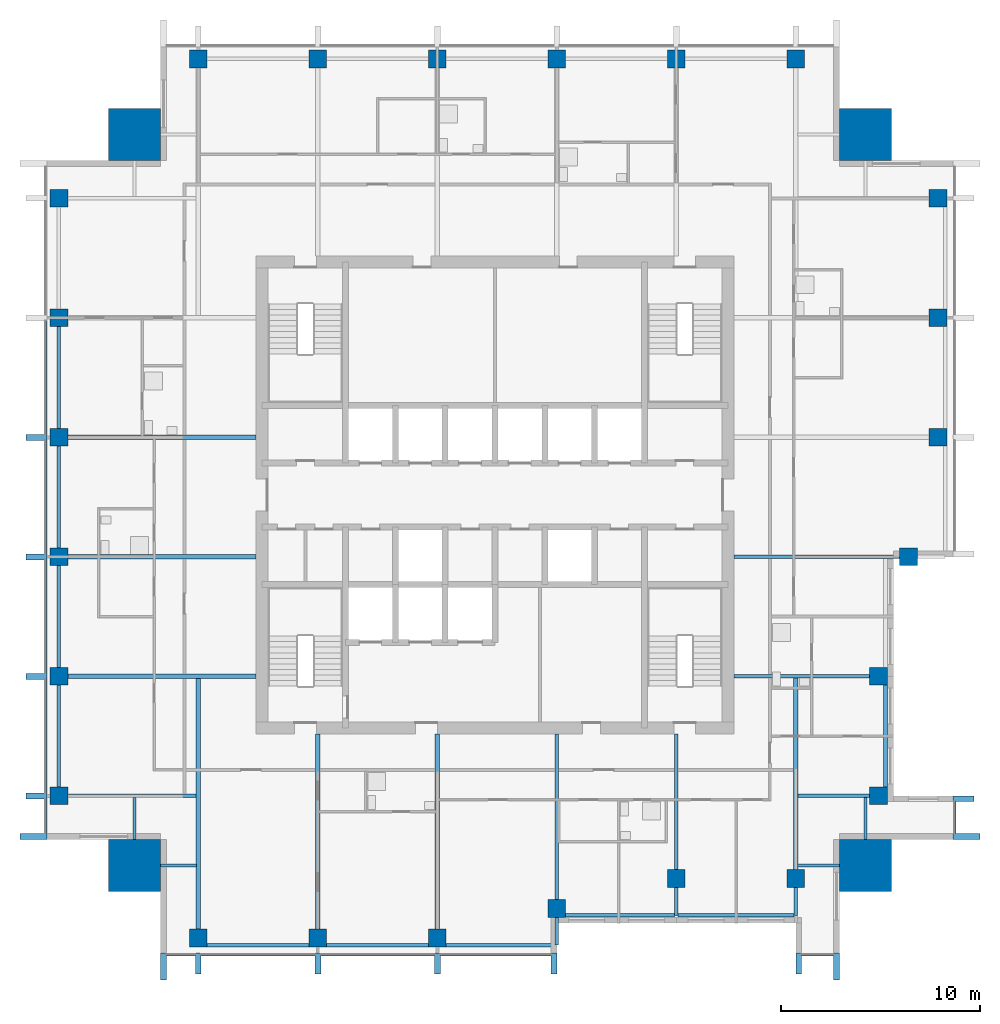
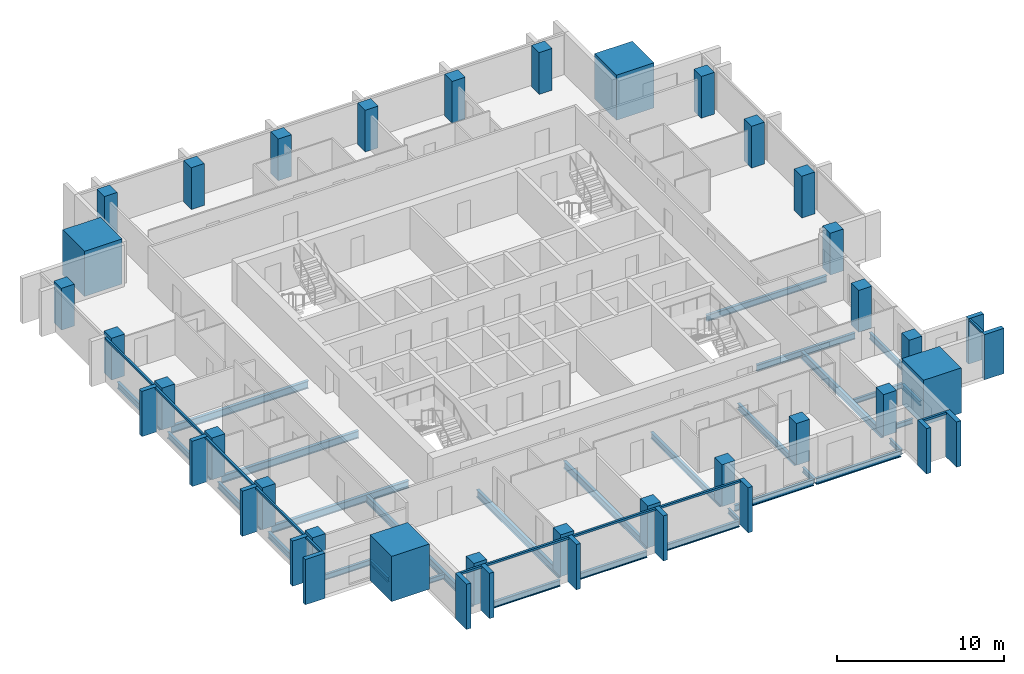
# One storey, part 1 of 10: 30 beams, 28 columns, 25 members, 4 elements without a shape of their own.
"""IFC4 building model written with IfcOpenShell, lengths in metres."""

from ifc_helpers import new_model, si_unit, direction, frame, origin, origin_2d, place, context, subcontext, project, spatial, rectangle, i_section, extrude, material, material_profile, profile_set, type_object, element, aggregate, save


model = new_model("IFC4")

# Units and contexts
model_context = context("Model", 3, precision=1e-05, world=origin(), true_north=direction((0.0, 1.0)))
body_context = subcontext(model_context, "Body", "Model", "MODEL_VIEW")
ifc_project = project(units=[si_unit("LENGTHUNIT", "METRE"), si_unit("AREAUNIT", "SQUARE_METRE"), si_unit("VOLUMEUNIT", "CUBIC_METRE"), si_unit("PLANEANGLEUNIT", "RADIAN"), si_unit("MASSUNIT", "GRAM", prefix="KILO")], contexts=[model_context])

# Site, building, storey
site_placement = place(None, origin())
site = spatial("IfcSite", under=ifc_project, at=site_placement, CompositionType="ELEMENT")
building_placement = place(site_placement, origin())
building = spatial("IfcBuilding", under=site, at=building_placement, Name="Amberfall Residences", CompositionType="ELEMENT")
storey_placement = place(building_placement, frame((0.0, 0.0, 213.39990234375)))
storey = spatial("IfcBuildingStorey", under=building, at=storey_placement, Name="L57", CompositionType="ELEMENT", Elevation=213.39990234375)

# Columns
ifc_material_1 = material(Name="Concrete C55", Category="concrete")
ifc_material_profile_1 = material_profile(ifc_material_1, rectangle(XDim=0.89990234375, YDim=0.89990234375, at=origin_2d()), Name="Column 900 x 900 C55")
ifc_profile_set_1 = profile_set([ifc_material_profile_1], Name="Concrete C55")
column_type_1 = type_object("IfcColumnType", Name="Column 900 x 900 C55", PredefinedType="COLUMN", material=ifc_profile_set_1)
for number, where, z_axis, x_axis, name in (
    (1, (59.60009765625, 23.25, 0.0), (0.0, 0.0, 1.0), (1.0, 0.0, 0.0), "Column C4 L57 S1"),
    (2, (65.60009765625, 23.25, 0.0), (0.0, 0.0, 1.0), (1.0, 0.0, 0.0), "Column C4 L57 S2"),
    (3, (71.60009765625, 23.25, 0.0), (0.0, 0.0, 1.0), (1.0, 0.0, 0.0), "Column C4 L57 S3"),
    (4, (77.60009765625, 24.75, 0.0), (0.0, 0.0, 1.0), (1.0, 0.0, 0.0), "Column C4 L57 S4"),
    (5, (83.60009765625, 26.25, 0.0), (0.0, 0.0, 1.0), (1.0, 0.0, 0.0), "Column C4 L57 S5"),
    (6, (89.60009765625, 26.25, 0.0), (0.0, 0.0, 1.0), (1.0, 0.0, 0.0), "Column C4 L57 S6"),
    (7, (93.75, 30.39990234375, 0.0), (0.0, 0.0, 1.0), (1.0, 0.0, 0.0), "Column C4 L57 E1"),
    (8, (93.75, 36.39990234375, 0.0), (0.0, 0.0, 1.0), (1.0, 0.0, 0.0), "Column C4 L57 E2"),
    (9, (95.25, 42.39990234375, 0.0), (0.0, 0.0, 1.0), (1.0, 0.0, 0.0), "Column C4 L57 E3"),
    (10, (96.75, 48.39990234375, 0.0), (0.0, 0.0, 1.0), (1.0, 0.0, 0.0), "Column C4 L57 E4"),
    (11, (96.75, 54.39990234375, 0.0), (0.0, 0.0, 1.0), (1.0, 0.0, 0.0), "Column C4 L57 E5"),
    (12, (96.75, 60.39990234375, 0.0), (0.0, 0.0, 1.0), (1.0, 0.0, 0.0), "Column C4 L57 E6"),
    (13, (59.60009765625, 67.39990234375, 0.0), (0.0, 0.0, 1.0), (1.0, 0.0, 0.0), "Column C4 L57 N1"),
    (14, (65.60009765625, 67.39990234375, 0.0), (0.0, 0.0, 1.0), (1.0, 0.0, 0.0), "Column C4 L57 N2"),
    (15, (71.60009765625, 67.39990234375, 0.0), (0.0, 0.0, 1.0), (1.0, 0.0, 0.0), "Column C4 L57 N3"),
    (16, (77.60009765625, 67.39990234375, 0.0), (0.0, 0.0, 1.0), (1.0, 0.0, 0.0), "Column C4 L57 N4"),
    (17, (83.60009765625, 67.39990234375, 0.0), (0.0, 0.0, 1.0), (1.0, 0.0, 0.0), "Column C4 L57 N5"),
    (18, (89.60009765625, 67.39990234375, 0.0), (0.0, 0.0, 1.0), (1.0, 0.0, 0.0), "Column C4 L57 N6"),
    (19, (52.60009765625, 30.39990234375, 0.0), (0.0, 0.0, 1.0), (1.0, 0.0, 0.0), "Column C4 L57 W1"),
    (20, (52.60009765625, 36.39990234375, 0.0), (0.0, 0.0, 1.0), (1.0, 0.0, 0.0), "Column C4 L57 W2"),
    (21, (52.60009765625, 42.39990234375, 0.0), (0.0, 0.0, 1.0), (1.0, 0.0, 0.0), "Column C4 L57 W3"),
    (22, (52.60009765625, 48.39990234375, 0.0), (0.0, 0.0, 1.0), (1.0, 0.0, 0.0), "Column C4 L57 W4"),
    (23, (52.60009765625, 54.39990234375, 0.0), (0.0, 0.0, 1.0), (1.0, 0.0, 0.0), "Column C4 L57 W5"),
    (24, (52.60009765625, 60.39990234375, 0.0), (0.0, 0.0, 1.0), (1.0, 0.0, 0.0), "Column C4 L57 W6"),
):
    element("IfcColumn", number, at=place(storey_placement, frame(where, z_axis=z_axis, x_axis=x_axis)), inside=storey, type_object=column_type_1, Name=name, PredefinedType="COLUMN", context=body_context, shape_type="SweptSolid", body=[
        extrude(rectangle(XDim=0.89990234375, YDim=0.89990234375, at=origin_2d()), origin(), (0.0, 0.0, 1.0), 3.050048828125),
    ])
ifc_material_profile_2 = material_profile(ifc_material_1, rectangle(XDim=2.60009765625, YDim=2.60009765625, at=origin_2d()), Name="Mega column 2600 x 2600 C55")
ifc_profile_set_2 = profile_set([ifc_material_profile_2], Name="Concrete C55")
column_type_2 = type_object("IfcColumnType", Name="Mega column 2600 x 2600 C55", PredefinedType="COLUMN", material=ifc_profile_set_2)
for number, where, z_axis, x_axis, name in (
    (25, (56.39990234375, 26.89990234375, 0.0), (0.0, 0.0, 1.0), (1.0, 0.0, 0.0), "Mega column MC8 L57 SW"),
    (26, (93.10009765625, 26.89990234375, 0.0), (0.0, 0.0, 1.0), (1.0, 0.0, 0.0), "Mega column MC8 L57 SE"),
    (27, (93.10009765625, 63.60009765625, 0.0), (0.0, 0.0, 1.0), (1.0, 0.0, 0.0), "Mega column MC8 L57 NE"),
    (28, (56.39990234375, 63.60009765625, 0.0), (0.0, 0.0, 1.0), (1.0, 0.0, 0.0), "Mega column MC8 L57 NW"),
):
    element("IfcColumn", number, at=place(storey_placement, frame(where, z_axis=z_axis, x_axis=x_axis)), inside=storey, type_object=column_type_2, Name=name, PredefinedType="COLUMN", context=body_context, shape_type="SweptSolid", body=[
        extrude(rectangle(XDim=2.60009765625, YDim=2.60009765625, at=origin_2d()), origin(), (0.0, 0.0, 1.0), 3.300048828125),
    ])

# Curtain wall, members
ifc_material_2 = material(Name="Bronze anodised aluminium and glass", Category="aluminium")
curtain_wall_type = type_object("IfcCurtainWallType", Name="Curtain wall CW1 tower unit", PredefinedType="USERDEFINED", material=ifc_material_2)
curtain_wall_1_placement = place(storey_placement, origin())
curtain_wall_1 = element("IfcCurtainWall", 29, at=curtain_wall_1_placement, inside=storey, type_object=curtain_wall_type, Name="Curtain wall L57 S S1", ObjectType="UNITISED CURTAIN WALL", PredefinedType="USERDEFINED")
ifc_material_3 = material(Name="Bronze anodised aluminium", Category="aluminium")
ifc_material_profile_3 = material_profile(ifc_material_3, rectangle(XDim=0.14990234375, YDim=0.14990234375, at=origin_2d()), Name="CW1 transom 150 x 150 bronze")
ifc_profile_set_3 = profile_set([ifc_material_profile_3], Name="Bronze anodised aluminium")
member_type_1 = type_object("IfcMemberType", Name="CW1 transom 150 x 150 bronze", PredefinedType="USERDEFINED", material=ifc_profile_set_3)
member_1_placement = place(storey_placement, frame((58.0, 22.425048828125, 2.97509765625), z_axis=(1.0, 0.0, 0.0), x_axis=(0.0, 1.0, 0.0)))
member_1 = element("IfcMember", 30, at=member_1_placement, type_object=member_type_1, Name="CW1 transom 1.1", ObjectType="TRANSOM", PredefinedType="USERDEFINED", context=body_context, shape_type="SweptSolid", body=[
    extrude(rectangle(XDim=0.14990234375, YDim=0.14990234375, at=origin_2d()), origin(), (0.0, 0.0, 1.0), 1.449951171875),
])
member_2_placement = place(storey_placement, frame((59.75, 22.425048828125, 2.97509765625), z_axis=(1.0, 0.0, 0.0), x_axis=(0.0, 1.0, 0.0)))
member_2 = element("IfcMember", 31, at=member_2_placement, type_object=member_type_1, Name="CW1 transom 2.1", ObjectType="TRANSOM", PredefinedType="USERDEFINED", context=body_context, shape_type="SweptSolid", body=[
    extrude(rectangle(XDim=0.14990234375, YDim=0.14990234375, at=origin_2d()), origin(), (0.0, 0.0, 1.0), 5.699951171875),
])
member_3_placement = place(storey_placement, frame((65.75, 22.425048828125, 2.97509765625), z_axis=(1.0, 0.0, 0.0), x_axis=(0.0, 1.0, 0.0)))
member_3 = element("IfcMember", 32, at=member_3_placement, type_object=member_type_1, Name="CW1 transom 3.1", ObjectType="TRANSOM", PredefinedType="USERDEFINED", context=body_context, shape_type="SweptSolid", body=[
    extrude(rectangle(XDim=0.14990234375, YDim=0.14990234375, at=origin_2d()), origin(), (0.0, 0.0, 1.0), 5.699951171875),
])
member_4_placement = place(storey_placement, frame((71.75, 22.425048828125, 2.97509765625), z_axis=(1.0, 0.0, 0.0), x_axis=(0.0, 1.0, 0.0)))
member_4 = element("IfcMember", 33, at=member_4_placement, type_object=member_type_1, Name="CW1 transom 4.1", ObjectType="TRANSOM", PredefinedType="USERDEFINED", context=body_context, shape_type="SweptSolid", body=[
    extrude(rectangle(XDim=0.14990234375, YDim=0.14990234375, at=origin_2d()), origin(), (0.0, 0.0, 1.0), 5.550048828125),
])

# Curtain wall, member
curtain_wall_2_placement = place(storey_placement, origin())
curtain_wall_2 = element("IfcCurtainWall", 34, at=curtain_wall_2_placement, inside=storey, type_object=curtain_wall_type, Name="Curtain wall L57 S S6", ObjectType="UNITISED CURTAIN WALL", PredefinedType="USERDEFINED")
member_5_placement = place(storey_placement, frame((89.89990234375, 22.425048828125, 2.97509765625), z_axis=(1.0, 0.0, 0.0), x_axis=(0.0, 1.0, 0.0)))
member_5 = element("IfcMember", 35, at=member_5_placement, type_object=member_type_1, Name="CW1 transom 1.1", ObjectType="TRANSOM", PredefinedType="USERDEFINED", context=body_context, shape_type="SweptSolid", body=[
    extrude(rectangle(XDim=0.14990234375, YDim=0.14990234375, at=origin_2d()), origin(), (0.0, 0.0, 1.0), 1.60009765625),
])

curtain_wall_3_placement = place(storey_placement, origin())
curtain_wall_3 = element("IfcCurtainWall", 36, at=curtain_wall_3_placement, inside=storey, type_object=curtain_wall_type, Name="Curtain wall L57 E E1", ObjectType="UNITISED CURTAIN WALL", PredefinedType="USERDEFINED")
member_6_placement = place(storey_placement, frame((97.574951171875, 28.5, 2.97509765625), z_axis=(0.0, 1.0, 0.0), x_axis=(-1.0, 0.0, 0.0)))
member_6 = element("IfcMember", 37, at=member_6_placement, type_object=member_type_1, Name="CW1 transom 1.1", ObjectType="TRANSOM", PredefinedType="USERDEFINED", context=body_context, shape_type="SweptSolid", body=[
    extrude(rectangle(XDim=0.14990234375, YDim=0.14990234375, at=origin_2d()), origin(), (0.0, 0.0, 1.0), 1.60009765625),
])

# Curtain wall, members
curtain_wall_4_placement = place(storey_placement, origin())
curtain_wall_4 = element("IfcCurtainWall", 38, at=curtain_wall_4_placement, inside=storey, type_object=curtain_wall_type, Name="Curtain wall L57 W W1", ObjectType="UNITISED CURTAIN WALL", PredefinedType="USERDEFINED")
member_7_placement = place(storey_placement, frame((51.925048828125, 54.25, 2.97509765625), z_axis=(0.0, -1.0, 0.0), x_axis=(1.0, 0.0, 0.0)))
member_7 = element("IfcMember", 39, at=member_7_placement, type_object=member_type_1, Name="CW1 transom 3.1", ObjectType="TRANSOM", PredefinedType="USERDEFINED", context=body_context, shape_type="SweptSolid", body=[
    extrude(rectangle(XDim=0.14990234375, YDim=0.14990234375, at=origin_2d()), origin(), (0.0, 0.0, 1.0), 5.699951171875),
])
member_8_placement = place(storey_placement, frame((51.925048828125, 48.25, 2.97509765625), z_axis=(0.0, -1.0, 0.0), x_axis=(1.0, 0.0, 0.0)))
member_8 = element("IfcMember", 40, at=member_8_placement, type_object=member_type_1, Name="CW1 transom 4.1", ObjectType="TRANSOM", PredefinedType="USERDEFINED", context=body_context, shape_type="SweptSolid", body=[
    extrude(rectangle(XDim=0.14990234375, YDim=0.14990234375, at=origin_2d()), origin(), (0.0, 0.0, 1.0), 5.699951171875),
])
member_9_placement = place(storey_placement, frame((51.925048828125, 42.25, 2.97509765625), z_axis=(0.0, -1.0, 0.0), x_axis=(1.0, 0.0, 0.0)))
member_9 = element("IfcMember", 41, at=member_9_placement, type_object=member_type_1, Name="CW1 transom 5.1", ObjectType="TRANSOM", PredefinedType="USERDEFINED", context=body_context, shape_type="SweptSolid", body=[
    extrude(rectangle(XDim=0.14990234375, YDim=0.14990234375, at=origin_2d()), origin(), (0.0, 0.0, 1.0), 5.699951171875),
])
member_10_placement = place(storey_placement, frame((51.925048828125, 36.25, 2.97509765625), z_axis=(0.0, -1.0, 0.0), x_axis=(1.0, 0.0, 0.0)))
member_10 = element("IfcMember", 42, at=member_10_placement, type_object=member_type_1, Name="CW1 transom 6.1", ObjectType="TRANSOM", PredefinedType="USERDEFINED", context=body_context, shape_type="SweptSolid", body=[
    extrude(rectangle(XDim=0.14990234375, YDim=0.14990234375, at=origin_2d()), origin(), (0.0, 0.0, 1.0), 5.699951171875),
])
member_11_placement = place(storey_placement, frame((51.925048828125, 30.25, 2.97509765625), z_axis=(0.0, -1.0, 0.0), x_axis=(1.0, 0.0, 0.0)))
member_11 = element("IfcMember", 43, at=member_11_placement, type_object=member_type_1, Name="CW1 transom 7.1", ObjectType="TRANSOM", PredefinedType="USERDEFINED", context=body_context, shape_type="SweptSolid", body=[
    extrude(rectangle(XDim=0.14990234375, YDim=0.14990234375, at=origin_2d()), origin(), (0.0, 0.0, 1.0), 1.75),
])

# Beams
ifc_material_4 = material(Name="Steel S355", Category="steel")
ifc_material_profile_4 = material_profile(ifc_material_4, i_section(OverallWidth=0.171142578125, OverallDepth=0.351318359375, WebThickness=0.007080078125, FlangeThickness=0.009765625, FilletRadius=0.01025390625, at=origin_2d()), Name="UB 356x171x45")
ifc_profile_set_4 = profile_set([ifc_material_profile_4], Name="Steel S355")
beam_type_1 = type_object("IfcBeamType", Name="Cantilever girder UB 356x171x45", PredefinedType="BEAM", material=ifc_profile_set_4)
for number, where, z_axis, x_axis, name in (
    (44, (77.60009765625, 24.300048828125, -0.425537109375), (0.0, -1.0, 0.0), (1.0, 0.0, 0.0), "Cantilever girder B8 L57 06"),
    (45, (83.60009765625, 25.800048828125, -0.425537109375), (0.0, -1.0, 0.0), (1.0, 0.0, 0.0), "Cantilever girder B8 L57 07"),
    (46, (89.60009765625, 25.800048828125, -0.425537109375), (0.0, -1.0, 0.0), (1.0, 0.0, 0.0), "Cantilever girder B8 L57 08"),
):
    element("IfcBeam", number, at=place(storey_placement, frame(where, z_axis=z_axis, x_axis=x_axis)), inside=storey, type_object=beam_type_1, Name=name, PredefinedType="BEAM", context=body_context, shape_type="SweptSolid", body=[
        extrude(i_section(OverallWidth=0.171142578125, OverallDepth=0.351318359375, WebThickness=0.007080078125, FlangeThickness=0.009765625, FilletRadius=0.01025390625, at=origin_2d()), origin(), (0.0, 0.0, 1.0), 1.400146484375),
    ])

# Member
ifc_material_profile_5 = material_profile(ifc_material_3, rectangle(XDim=1.35009765625, YDim=0.300048828125, at=origin_2d()), Name="Corner fin 300 x 1350 bronze")
ifc_profile_set_5 = profile_set([ifc_material_profile_5], Name="Bronze anodised aluminium")
member_type_2 = type_object("IfcMemberType", Name="Corner fin 300 x 1350 bronze", PredefinedType="MULLION", material=ifc_profile_set_5)
member_12_placement = place(storey_placement, frame((57.85009765625, 21.824951171875, -0.25), z_axis=(0.0, 0.0, 1.0), x_axis=(0.0, 1.0, 0.0)))
member_12 = element("IfcMember", 47, at=member_12_placement, type_object=member_type_2, Name="CW FIN 1", PredefinedType="MULLION", context=body_context, shape_type="SweptSolid", body=[
    extrude(rectangle(XDim=1.35009765625, YDim=0.300048828125, at=origin_2d()), origin(), (0.0, 0.0, 1.0), 3.300048828125),
])

member_13_placement = place(storey_placement, frame((91.64990234375, 21.824951171875, -0.25), z_axis=(0.0, 0.0, 1.0), x_axis=(0.0, 1.0, 0.0)))
member_13 = element("IfcMember", 48, at=member_13_placement, type_object=member_type_2, Name="CW FIN 2", PredefinedType="MULLION", context=body_context, shape_type="SweptSolid", body=[
    extrude(rectangle(XDim=1.35009765625, YDim=0.300048828125, at=origin_2d()), origin(), (0.0, 0.0, 1.0), 3.300048828125),
])

member_14_placement = place(storey_placement, frame((98.175048828125, 28.35009765625, -0.25), z_axis=(0.0, 0.0, 1.0), x_axis=(-1.0, 0.0, 0.0)))
member_14 = element("IfcMember", 49, at=member_14_placement, type_object=member_type_2, Name="CW FIN 1", PredefinedType="MULLION", context=body_context, shape_type="SweptSolid", body=[
    extrude(rectangle(XDim=1.35009765625, YDim=0.300048828125, at=origin_2d()), origin(), (0.0, 0.0, 1.0), 3.300048828125),
])

member_15_placement = place(storey_placement, frame((51.324951171875, 28.35009765625, -0.25), z_axis=(0.0, 0.0, 1.0), x_axis=(1.0, 0.0, 0.0)))
member_15 = element("IfcMember", 50, at=member_15_placement, type_object=member_type_2, Name="CW FIN 8", PredefinedType="MULLION", context=body_context, shape_type="SweptSolid", body=[
    extrude(rectangle(XDim=1.35009765625, YDim=0.300048828125, at=origin_2d()), origin(), (0.0, 0.0, 1.0), 3.300048828125),
])

# Beams
ifc_material_profile_6 = material_profile(ifc_material_4, i_section(OverallWidth=0.18994140625, OverallDepth=0.453369140625, WebThickness=0.008544921875, FlangeThickness=0.0126953125, FilletRadius=0.01025390625, at=origin_2d()), Name="UB 457x191x67")
ifc_profile_set_6 = profile_set([ifc_material_profile_6], Name="Steel S355")
beam_type_2 = type_object("IfcBeamType", Name="Edge beam UB 457x191x67", PredefinedType="SPANDREL", material=ifc_profile_set_6)
for number, where, z_axis, x_axis, name in (
    (51, (60.050048828125, 22.89990234375, -0.4765625), (1.0, 0.0, 0.0), (0.0, 1.0, 0.0), "Edge beam B1 L57 01"),
    (52, (66.050048828125, 22.89990234375, -0.4765625), (1.0, 0.0, 0.0), (0.0, 1.0, 0.0), "Edge beam B1 L57 02"),
):
    element("IfcBeam", number, at=place(storey_placement, frame(where, z_axis=z_axis, x_axis=x_axis)), inside=storey, type_object=beam_type_2, Name=name, PredefinedType="SPANDREL", context=body_context, shape_type="SweptSolid", body=[
        extrude(i_section(OverallWidth=0.18994140625, OverallDepth=0.453369140625, WebThickness=0.008544921875, FlangeThickness=0.0126953125, FilletRadius=0.01025390625, at=origin_2d()), origin(), (0.0, 0.0, 1.0), 5.099853515625),
    ])
for number, where, z_axis, x_axis, name in (
    (53, (72.050048828125, 22.89990234375, -0.4765625), (1.0, 0.0, 0.0), (0.0, 1.0, 0.0), "Edge beam B1 L57 03"),
    (54, (78.050048828125, 24.39990234375, -0.4765625), (1.0, 0.0, 0.0), (0.0, 1.0, 0.0), "Edge beam B1 L57 04"),
):
    element("IfcBeam", number, at=place(storey_placement, frame(where, z_axis=z_axis, x_axis=x_axis)), inside=storey, type_object=beam_type_2, Name=name, PredefinedType="SPANDREL", context=body_context, shape_type="SweptSolid", body=[
        extrude(i_section(OverallWidth=0.18994140625, OverallDepth=0.453369140625, WebThickness=0.008544921875, FlangeThickness=0.0126953125, FilletRadius=0.01025390625, at=origin_2d()), origin(), (0.0, 0.0, 1.0), 5.469970703125),
    ])
beam_1_placement = place(storey_placement, frame((83.679931640625, 24.39990234375, -0.4765625), z_axis=(1.0, 0.0, 0.0), x_axis=(0.0, 1.0, 0.0)))
element("IfcBeam", 55, at=beam_1_placement, inside=storey, type_object=beam_type_2, Name="Edge beam B1 L57 05", PredefinedType="SPANDREL", context=body_context, shape_type="SweptSolid", body=[
    extrude(i_section(OverallWidth=0.18994140625, OverallDepth=0.453369140625, WebThickness=0.008544921875, FlangeThickness=0.0126953125, FilletRadius=0.01025390625, at=origin_2d()), origin(), (0.0, 0.0, 1.0), 5.840087890625),
])
for number, where, z_axis, x_axis, name in (
    (56, (94.10009765625, 30.85009765625, -0.4765625), (0.0, 1.0, 0.0), (-1.0, 0.0, 0.0), "Edge beam B1 L57 15"),
    (57, (52.60009765625, 30.85009765625, -0.4765625), (0.0, 1.0, 0.0), (-1.0, 0.0, 0.0), "Edge beam B1 L57 38"),
    (58, (52.60009765625, 36.85009765625, -0.4765625), (0.0, 1.0, 0.0), (-1.0, 0.0, 0.0), "Edge beam B1 L57 39"),
    (59, (52.60009765625, 42.85009765625, -0.4765625), (0.0, 1.0, 0.0), (-1.0, 0.0, 0.0), "Edge beam B1 L57 40"),
    (60, (52.60009765625, 48.85009765625, -0.4765625), (0.0, 1.0, 0.0), (-1.0, 0.0, 0.0), "Edge beam B1 L57 41"),
):
    element("IfcBeam", number, at=place(storey_placement, frame(where, z_axis=z_axis, x_axis=x_axis)), inside=storey, type_object=beam_type_2, Name=name, PredefinedType="SPANDREL", context=body_context, shape_type="SweptSolid", body=[
        extrude(i_section(OverallWidth=0.18994140625, OverallDepth=0.453369140625, WebThickness=0.008544921875, FlangeThickness=0.0126953125, FilletRadius=0.01025390625, at=origin_2d()), origin(), (0.0, 0.0, 1.0), 5.099853515625),
    ])

# Member
ifc_material_profile_7 = material_profile(ifc_material_3, rectangle(XDim=1.050048828125, YDim=0.300048828125, at=origin_2d()), Name="Fin 300 x 1050 bronze")
ifc_profile_set_7 = profile_set([ifc_material_profile_7], Name="Bronze anodised aluminium")
member_type_3 = type_object("IfcMemberType", Name="Fin 300 x 1050 bronze", PredefinedType="MULLION", material=ifc_profile_set_7)
member_16_placement = place(storey_placement, frame((59.60009765625, 21.97509765625, -0.25), z_axis=(0.0, 0.0, 1.0), x_axis=(0.0, 1.0, 0.0)))
member_16 = element("IfcMember", 61, at=member_16_placement, type_object=member_type_3, Name="CW FIN 2", PredefinedType="MULLION", context=body_context, shape_type="SweptSolid", body=[
    extrude(rectangle(XDim=1.050048828125, YDim=0.300048828125, at=origin_2d()), origin(), (0.0, 0.0, 1.0), 3.300048828125),
])

member_17_placement = place(storey_placement, frame((65.60009765625, 21.97509765625, -0.25), z_axis=(0.0, 0.0, 1.0), x_axis=(0.0, 1.0, 0.0)))
member_17 = element("IfcMember", 62, at=member_17_placement, type_object=member_type_3, Name="CW FIN 3", PredefinedType="MULLION", context=body_context, shape_type="SweptSolid", body=[
    extrude(rectangle(XDim=1.050048828125, YDim=0.300048828125, at=origin_2d()), origin(), (0.0, 0.0, 1.0), 3.300048828125),
])

member_18_placement = place(storey_placement, frame((71.60009765625, 21.97509765625, -0.25), z_axis=(0.0, 0.0, 1.0), x_axis=(0.0, 1.0, 0.0)))
member_18 = element("IfcMember", 63, at=member_18_placement, type_object=member_type_3, Name="CW FIN 4", PredefinedType="MULLION", context=body_context, shape_type="SweptSolid", body=[
    extrude(rectangle(XDim=1.050048828125, YDim=0.300048828125, at=origin_2d()), origin(), (0.0, 0.0, 1.0), 3.300048828125),
])

member_19_placement = place(storey_placement, frame((77.449951171875, 21.97509765625, -0.25), z_axis=(0.0, 0.0, 1.0), x_axis=(0.0, 1.0, 0.0)))
member_19 = element("IfcMember", 64, at=member_19_placement, type_object=member_type_3, Name="CW FIN 5", PredefinedType="MULLION", context=body_context, shape_type="SweptSolid", body=[
    extrude(rectangle(XDim=1.050048828125, YDim=0.300048828125, at=origin_2d()), origin(), (0.0, 0.0, 1.0), 3.300048828125),
])

aggregate(curtain_wall_1, [member_12, member_16, member_17, member_18, member_19, member_1, member_2, member_3, member_4])

member_20_placement = place(storey_placement, frame((89.75, 21.97509765625, -0.25), z_axis=(0.0, 0.0, 1.0), x_axis=(0.0, 1.0, 0.0)))
member_20 = element("IfcMember", 65, at=member_20_placement, type_object=member_type_3, Name="CW FIN 1", PredefinedType="MULLION", context=body_context, shape_type="SweptSolid", body=[
    extrude(rectangle(XDim=1.050048828125, YDim=0.300048828125, at=origin_2d()), origin(), (0.0, 0.0, 1.0), 3.300048828125),
])

aggregate(curtain_wall_2, [member_20, member_13, member_5])

member_21_placement = place(storey_placement, frame((98.02490234375, 30.25, -0.25), z_axis=(0.0, 0.0, 1.0), x_axis=(-1.0, 0.0, 0.0)))
member_21 = element("IfcMember", 66, at=member_21_placement, type_object=member_type_3, Name="CW FIN 2", PredefinedType="MULLION", context=body_context, shape_type="SweptSolid", body=[
    extrude(rectangle(XDim=1.050048828125, YDim=0.300048828125, at=origin_2d()), origin(), (0.0, 0.0, 1.0), 3.300048828125),
])

aggregate(curtain_wall_3, [member_14, member_21, member_6])

member_22_placement = place(storey_placement, frame((51.47509765625, 48.39990234375, -0.25), z_axis=(0.0, 0.0, 1.0), x_axis=(1.0, 0.0, 0.0)))
member_22 = element("IfcMember", 67, at=member_22_placement, type_object=member_type_3, Name="CW FIN 4", PredefinedType="MULLION", context=body_context, shape_type="SweptSolid", body=[
    extrude(rectangle(XDim=1.050048828125, YDim=0.300048828125, at=origin_2d()), origin(), (0.0, 0.0, 1.0), 3.300048828125),
])

member_23_placement = place(storey_placement, frame((51.47509765625, 42.39990234375, -0.25), z_axis=(0.0, 0.0, 1.0), x_axis=(1.0, 0.0, 0.0)))
member_23 = element("IfcMember", 68, at=member_23_placement, type_object=member_type_3, Name="CW FIN 5", PredefinedType="MULLION", context=body_context, shape_type="SweptSolid", body=[
    extrude(rectangle(XDim=1.050048828125, YDim=0.300048828125, at=origin_2d()), origin(), (0.0, 0.0, 1.0), 3.300048828125),
])

member_24_placement = place(storey_placement, frame((51.47509765625, 36.39990234375, -0.25), z_axis=(0.0, 0.0, 1.0), x_axis=(1.0, 0.0, 0.0)))
member_24 = element("IfcMember", 69, at=member_24_placement, type_object=member_type_3, Name="CW FIN 6", PredefinedType="MULLION", context=body_context, shape_type="SweptSolid", body=[
    extrude(rectangle(XDim=1.050048828125, YDim=0.300048828125, at=origin_2d()), origin(), (0.0, 0.0, 1.0), 3.300048828125),
])

member_25_placement = place(storey_placement, frame((51.47509765625, 30.39990234375, -0.25), z_axis=(0.0, 0.0, 1.0), x_axis=(1.0, 0.0, 0.0)))
member_25 = element("IfcMember", 70, at=member_25_placement, type_object=member_type_3, Name="CW FIN 7", PredefinedType="MULLION", context=body_context, shape_type="SweptSolid", body=[
    extrude(rectangle(XDim=1.050048828125, YDim=0.300048828125, at=origin_2d()), origin(), (0.0, 0.0, 1.0), 3.300048828125),
])

aggregate(curtain_wall_4, [member_22, member_23, member_24, member_25, member_15, member_7, member_8, member_9, member_10, member_11])

# Beams
ifc_material_profile_8 = material_profile(ifc_material_4, i_section(OverallWidth=0.171142578125, OverallDepth=0.351318359375, WebThickness=0.007080078125, FlangeThickness=0.009765625, FilletRadius=0.01025390625, at=origin_2d()), Name="UB 356x171x45")
ifc_profile_set_8 = profile_set([ifc_material_profile_8], Name="Steel S355")
beam_type_3 = type_object("IfcBeamType", Name="Floor girder UB 356x171x45", PredefinedType="BEAM", material=ifc_profile_set_8)
beam_2_placement = place(storey_placement, frame((93.300048828125, 30.39990234375, -0.425537109375), z_axis=(-1.0, 0.0, 0.0), x_axis=(0.0, -1.0, 0.0)))
element("IfcBeam", 71, at=beam_2_placement, inside=storey, type_object=beam_type_3, Name="Floor girder B11 L57 21", PredefinedType="BEAM", context=body_context, shape_type="SweptSolid", body=[
    extrude(i_section(OverallWidth=0.171142578125, OverallDepth=0.351318359375, WebThickness=0.007080078125, FlangeThickness=0.009765625, FilletRadius=0.01025390625, at=origin_2d()), origin(), (0.0, 0.0, 1.0), 3.580078125),
])
ifc_material_profile_9 = material_profile(ifc_material_4, i_section(OverallWidth=0.177734375, OverallDepth=0.402587890625, WebThickness=0.0078125, FlangeThickness=0.010986328125, FilletRadius=0.01025390625, at=origin_2d()), Name="UB 406x178x54")
ifc_profile_set_9 = profile_set([ifc_material_profile_9], Name="Steel S355")
beam_type_4 = type_object("IfcBeamType", Name="Floor girder UB 406x178x54", PredefinedType="BEAM", material=ifc_profile_set_9)
beam_3_placement = place(storey_placement, frame((53.050048828125, 30.39990234375, -0.451171875), z_axis=(1.0, 0.0, 0.0), x_axis=(0.0, 1.0, 0.0)))
element("IfcBeam", 72, at=beam_3_placement, inside=storey, type_object=beam_type_4, Name="Floor girder B4 L57 43", PredefinedType="BEAM", context=body_context, shape_type="SweptSolid", body=[
    extrude(i_section(OverallWidth=0.177734375, OverallDepth=0.402587890625, WebThickness=0.0078125, FlangeThickness=0.010986328125, FilletRadius=0.01025390625, at=origin_2d()), origin(), (0.0, 0.0, 1.0), 6.429931640625),
])
ifc_material_profile_10 = material_profile(ifc_material_4, i_section(OverallWidth=0.19140625, OverallDepth=0.4599609375, WebThickness=0.010009765625, FlangeThickness=0.01611328125, FilletRadius=0.01025390625, at=origin_2d()), Name="UB 457x191x82")
ifc_profile_set_10 = profile_set([ifc_material_profile_10], Name="Steel S355")
beam_type_5 = type_object("IfcBeamType", Name="Floor girder UB 457x191x82", PredefinedType="BEAM", material=ifc_profile_set_10)
beam_4_placement = place(storey_placement, frame((77.60009765625, 25.199951171875, -0.47998046875), z_axis=(0.0, 1.0, 0.0), x_axis=(-1.0, 0.0, 0.0)))
element("IfcBeam", 73, at=beam_4_placement, inside=storey, type_object=beam_type_5, Name="Floor girder B10 L57 12", PredefinedType="BEAM", context=body_context, shape_type="SweptSolid", body=[
    extrude(i_section(OverallWidth=0.19140625, OverallDepth=0.4599609375, WebThickness=0.010009765625, FlangeThickness=0.01611328125, FilletRadius=0.01025390625, at=origin_2d()), origin(), (0.0, 0.0, 1.0), 8.300048828125),
])
for number, where, z_axis, x_axis, name in (
    (74, (83.60009765625, 26.699951171875, -0.47998046875), (0.0, 1.0, 0.0), (-1.0, 0.0, 0.0), "Floor girder B10 L57 13"),
    (75, (93.300048828125, 36.39990234375, -0.47998046875), (-1.0, 0.0, 0.0), (0.0, -1.0, 0.0), "Floor girder B10 L57 22"),
):
    element("IfcBeam", number, at=place(storey_placement, frame(where, z_axis=z_axis, x_axis=x_axis)), inside=storey, type_object=beam_type_5, Name=name, PredefinedType="BEAM", context=body_context, shape_type="SweptSolid", body=[
        extrude(i_section(OverallWidth=0.19140625, OverallDepth=0.4599609375, WebThickness=0.010009765625, FlangeThickness=0.01611328125, FilletRadius=0.01025390625, at=origin_2d()), origin(), (0.0, 0.0, 1.0), 6.800048828125),
    ])
beam_5_placement = place(storey_placement, frame((94.800048828125, 42.39990234375, -0.47998046875), z_axis=(-1.0, 0.0, 0.0), x_axis=(0.0, -1.0, 0.0)))
element("IfcBeam", 76, at=beam_5_placement, inside=storey, type_object=beam_type_5, Name="Floor girder B10 L57 23", PredefinedType="BEAM", context=body_context, shape_type="SweptSolid", body=[
    extrude(i_section(OverallWidth=0.19140625, OverallDepth=0.4599609375, WebThickness=0.010009765625, FlangeThickness=0.01611328125, FilletRadius=0.01025390625, at=origin_2d()), origin(), (0.0, 0.0, 1.0), 8.300048828125),
])
ifc_material_profile_11 = material_profile(ifc_material_4, i_section(OverallWidth=0.210693359375, OverallDepth=0.53955078125, WebThickness=0.01171875, FlangeThickness=0.018798828125, FilletRadius=0.0126953125, at=origin_2d()), Name="UB 533x210x109")
ifc_profile_set_11 = profile_set([ifc_material_profile_11], Name="Steel S355")
beam_type_6 = type_object("IfcBeamType", Name="Floor girder UB 533x210x109", PredefinedType="BEAM", material=ifc_profile_set_11)
beam_6_placement = place(storey_placement, frame((59.60009765625, 23.699951171875, -0.51953125), z_axis=(0.0, 1.0, 0.0), x_axis=(-1.0, 0.0, 0.0)))
element("IfcBeam", 77, at=beam_6_placement, inside=storey, type_object=beam_type_6, Name="Floor girder B2 L57 09", PredefinedType="BEAM", context=body_context, shape_type="SweptSolid", body=[
    extrude(i_section(OverallWidth=0.210693359375, OverallDepth=0.53955078125, WebThickness=0.01171875, FlangeThickness=0.018798828125, FilletRadius=0.0126953125, at=origin_2d()), origin(), (0.0, 0.0, 1.0), 12.600341796875),
])
ifc_material_profile_12 = material_profile(ifc_material_4, i_section(OverallWidth=0.209228515625, OverallDepth=0.533203125, WebThickness=0.010009765625, FlangeThickness=0.015625, FilletRadius=0.0126953125, at=origin_2d()), Name="UB 533x210x92")
ifc_profile_set_12 = profile_set([ifc_material_profile_12], Name="Steel S355")
beam_type_7 = type_object("IfcBeamType", Name="Floor girder UB 533x210x92", PredefinedType="BEAM", material=ifc_profile_set_12)
for number, where, z_axis, x_axis, name in (
    (78, (65.60009765625, 23.699951171875, -0.516357421875), (0.0, 1.0, 0.0), (-1.0, 0.0, 0.0), "Floor girder B3 L57 10"),
    (79, (71.60009765625, 23.699951171875, -0.516357421875), (0.0, 1.0, 0.0), (-1.0, 0.0, 0.0), "Floor girder B3 L57 11"),
):
    element("IfcBeam", number, at=place(storey_placement, frame(where, z_axis=z_axis, x_axis=x_axis)), inside=storey, type_object=beam_type_7, Name=name, PredefinedType="BEAM", context=body_context, shape_type="SweptSolid", body=[
        extrude(i_section(OverallWidth=0.209228515625, OverallDepth=0.533203125, WebThickness=0.010009765625, FlangeThickness=0.015625, FilletRadius=0.0126953125, at=origin_2d()), origin(), (0.0, 0.0, 1.0), 9.800048828125),
    ])
beam_7_placement = place(storey_placement, frame((89.60009765625, 26.699951171875, -0.516357421875), z_axis=(0.0, 1.0, 0.0), x_axis=(-1.0, 0.0, 0.0)))
element("IfcBeam", 80, at=beam_7_placement, inside=storey, type_object=beam_type_7, Name="Floor girder B3 L57 14", PredefinedType="BEAM", context=body_context, shape_type="SweptSolid", body=[
    extrude(i_section(OverallWidth=0.209228515625, OverallDepth=0.533203125, WebThickness=0.010009765625, FlangeThickness=0.015625, FilletRadius=0.0126953125, at=origin_2d()), origin(), (0.0, 0.0, 1.0), 9.609375),
])
for number, where, z_axis, x_axis, name in (
    (81, (53.050048828125, 36.39990234375, -0.516357421875), (1.0, 0.0, 0.0), (0.0, 1.0, 0.0), "Floor girder B3 L57 44"),
    (82, (53.050048828125, 42.39990234375, -0.516357421875), (1.0, 0.0, 0.0), (0.0, 1.0, 0.0), "Floor girder B3 L57 45"),
    (83, (53.050048828125, 48.39990234375, -0.516357421875), (1.0, 0.0, 0.0), (0.0, 1.0, 0.0), "Floor girder B3 L57 46"),
):
    element("IfcBeam", number, at=place(storey_placement, frame(where, z_axis=z_axis, x_axis=x_axis)), inside=storey, type_object=beam_type_7, Name=name, PredefinedType="BEAM", context=body_context, shape_type="SweptSolid", body=[
        extrude(i_section(OverallWidth=0.209228515625, OverallDepth=0.533203125, WebThickness=0.010009765625, FlangeThickness=0.015625, FilletRadius=0.0126953125, at=origin_2d()), origin(), (0.0, 0.0, 1.0), 9.449951171875),
    ])
ifc_material_profile_13 = material_profile(ifc_material_4, i_section(OverallWidth=0.171142578125, OverallDepth=0.351318359375, WebThickness=0.007080078125, FlangeThickness=0.009765625, FilletRadius=0.01025390625, at=origin_2d()), Name="UB 356x171x45")
ifc_profile_set_13 = profile_set([ifc_material_profile_13], Name="Steel S355")
beam_type_8 = type_object("IfcBeamType", Name="Link beam UB 356x171x45", PredefinedType="BEAM", material=ifc_profile_set_13)
beam_8_placement = place(storey_placement, frame((57.699951171875, 26.89990234375, -0.425537109375), z_axis=(1.0, 0.0, 0.0), x_axis=(0.0, 1.0, 0.0)))
element("IfcBeam", 84, at=beam_8_placement, inside=storey, type_object=beam_type_8, Name="Link beam B7 L57 49", PredefinedType="BEAM", context=body_context, shape_type="SweptSolid", body=[
    extrude(i_section(OverallWidth=0.171142578125, OverallDepth=0.351318359375, WebThickness=0.007080078125, FlangeThickness=0.009765625, FilletRadius=0.01025390625, at=origin_2d()), origin(), (0.0, 0.0, 1.0), 1.8046875),
])
beam_9_placement = place(storey_placement, frame((56.39990234375, 28.199951171875, -0.425537109375), z_axis=(0.0, 1.0, 0.0), x_axis=(-1.0, 0.0, 0.0)))
element("IfcBeam", 85, at=beam_9_placement, inside=storey, type_object=beam_type_8, Name="Link beam B7 L57 50", PredefinedType="BEAM", context=body_context, shape_type="SweptSolid", body=[
    extrude(i_section(OverallWidth=0.171142578125, OverallDepth=0.351318359375, WebThickness=0.007080078125, FlangeThickness=0.009765625, FilletRadius=0.01025390625, at=origin_2d()), origin(), (0.0, 0.0, 1.0), 2.121337890625),
])
beam_10_placement = place(storey_placement, frame((91.800048828125, 26.89990234375, -0.425537109375), z_axis=(-1.0, 0.0, 0.0), x_axis=(0.0, -1.0, 0.0)))
element("IfcBeam", 86, at=beam_10_placement, inside=storey, type_object=beam_type_8, Name="Link beam B7 L57 51", PredefinedType="BEAM", context=body_context, shape_type="SweptSolid", body=[
    extrude(i_section(OverallWidth=0.171142578125, OverallDepth=0.351318359375, WebThickness=0.007080078125, FlangeThickness=0.009765625, FilletRadius=0.01025390625, at=origin_2d()), origin(), (0.0, 0.0, 1.0), 2.10546875),
])
beam_11_placement = place(storey_placement, frame((93.10009765625, 28.199951171875, -0.425537109375), z_axis=(0.0, 1.0, 0.0), x_axis=(-1.0, 0.0, 0.0)))
element("IfcBeam", 87, at=beam_11_placement, inside=storey, type_object=beam_type_8, Name="Link beam B7 L57 52", PredefinedType="BEAM", context=body_context, shape_type="SweptSolid", body=[
    extrude(i_section(OverallWidth=0.171142578125, OverallDepth=0.351318359375, WebThickness=0.007080078125, FlangeThickness=0.009765625, FilletRadius=0.01025390625, at=origin_2d()), origin(), (0.0, 0.0, 1.0), 2.12451171875),
])

save(model, "model.ifc")
